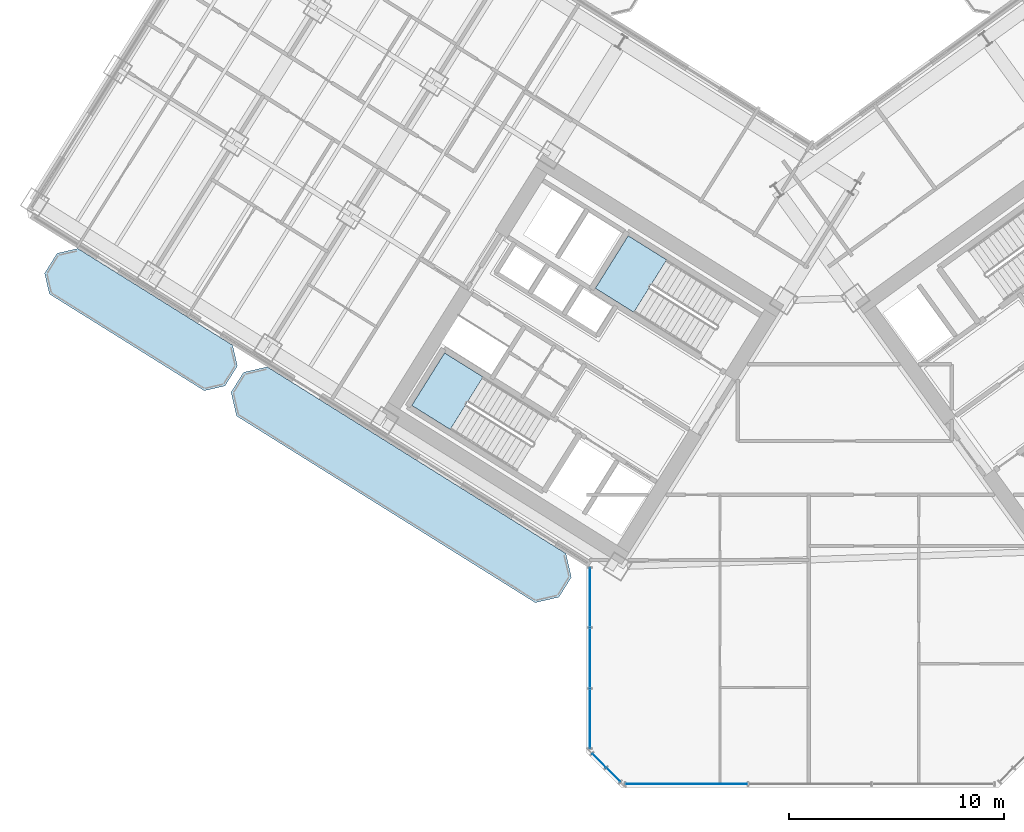
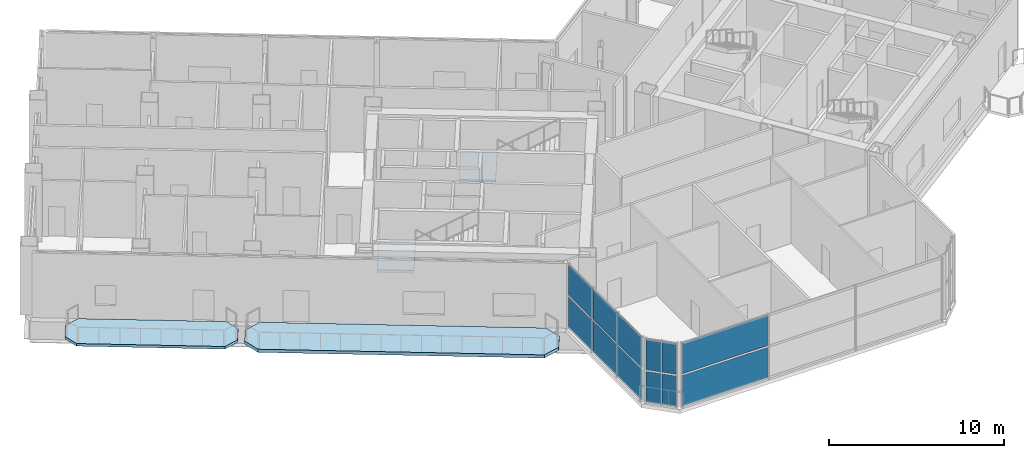
# One storey, part 9 of 22: 12 plates, 4 slabs, 5 elements without a shape of their own.
"""IFC4 building model written with IfcOpenShell, lengths in metres."""

from ifc_helpers import new_model, si_unit, direction, frame, origin, origin_2d, place, context, subcontext, project, spatial, polyline, rectangle, outline, extrude, source, transform, mapped, material, layer, layer_set, type_object, element, aggregate, save


model = new_model("IFC4")

# Units and contexts
model_context = context("Model", 3, precision=1e-05, world=origin(), true_north=direction((0.0, 1.0)))
body_context = subcontext(model_context, "Body", "Model", "MODEL_VIEW")
ifc_project = project(units=[si_unit("LENGTHUNIT", "METRE"), si_unit("AREAUNIT", "SQUARE_METRE"), si_unit("VOLUMEUNIT", "CUBIC_METRE"), si_unit("PLANEANGLEUNIT", "RADIAN"), si_unit("MASSUNIT", "GRAM", prefix="KILO")], contexts=[model_context])

# Site, building, storey
site_placement = place(None, origin())
site = spatial("IfcSite", under=ifc_project, at=site_placement, CompositionType="ELEMENT")
building_placement = place(site_placement, origin())
building = spatial("IfcBuilding", under=site, at=building_placement, Name="Tlacorven Tower", CompositionType="ELEMENT")
storey_placement = place(building_placement, frame((0.0, 0.0, 71.699951171875)))
storey = spatial("IfcBuildingStorey", under=building, at=storey_placement, Name="L18", CompositionType="ELEMENT", Elevation=71.699951171875)

# Slab
ifc_material_1 = material(Name="Precast concrete C45/55", Category="concrete")
ifc_layer_1 = layer(ifc_material_1, 0.179931640625)
ifc_layer_set_1 = layer_set([ifc_layer_1], Name="Precast concrete C45/55")
slab_type_1 = type_object("IfcSlabType", Name="SL-BAL-180", PredefinedType="USERDEFINED", material=ifc_layer_set_1)
slab_1_placement = place(storey_placement, frame((0.0, 0.0, -0.179931640625)))
element("IfcSlab", 1, at=slab_1_placement, inside=storey, type_object=slab_type_1, Name="L18 West Wing Balcony Ribbon OUT", ObjectType="BALCONY SLAB", PredefinedType="USERDEFINED", context=body_context, shape_type="SweptSolid", body=[
    extrude(outline(polyline([(15.1201171875, 22.38623046875), (7.91162109375, 26.890625), (6.947021484375, 26.66796875), (6.366943359375, 25.7392578125), (6.589599609375, 24.774658203125), (13.7978515625, 20.270263671875), (14.762451171875, 20.4931640625), (15.3427734375, 21.421630859375), (15.1201171875, 22.38623046875)])), origin(), (0.0, 0.0, 1.0), 0.179931640625),
])

# Stair, slab
ifc_material_2 = material(Name="Concrete C40/50", Category="concrete")
stair_type = type_object("IfcStairType", Name="ST-CORE-DLG", PredefinedType="HALF_TURN_STAIR", material=ifc_material_2)
stair_1_placement = place(storey_placement, origin())
stair_1 = element("IfcStair", 2, at=stair_1_placement, inside=storey, type_object=stair_type, Name="L18 Protected Exit Stair West 1", PredefinedType="HALF_TURN_STAIR")
ifc_layer_2 = layer(ifc_material_2, 0.199951171875)
ifc_layer_set_2 = layer_set([ifc_layer_2], Name="Concrete C40/50")
slab_type_2 = type_object("IfcSlabType", Name="SL-LND-200", PredefinedType="LANDING", material=ifc_layer_set_2)
slab_2_placement = place(storey_placement, frame((0.0, 0.0, 2.199951171875)))
slab_2 = element("IfcSlab", 3, at=slab_2_placement, type_object=slab_type_2, Name="ST-W1 landing 1", PredefinedType="LANDING", context=body_context, shape_type="SweptSolid", body=[
    extrude(outline(polyline([(26.778564453125, 20.90869140625), (24.9892578125, 22.02685546875), (23.463134765625, 19.58447265625), (25.25244140625, 18.46630859375), (26.778564453125, 20.90869140625)])), origin(), (0.0, 0.0, 1.0), 0.2001953125),
])
aggregate(stair_1, [slab_2])

stair_2_placement = place(storey_placement, origin())
stair_2 = element("IfcStair", 4, at=stair_2_placement, inside=storey, type_object=stair_type, Name="L18 Protected Exit Stair West 2", PredefinedType="HALF_TURN_STAIR")
slab_3_placement = place(storey_placement, frame((0.0, 0.0, 2.199951171875)))
slab_3 = element("IfcSlab", 5, at=slab_3_placement, type_object=slab_type_2, Name="ST-W2 landing 1", PredefinedType="LANDING", context=body_context, shape_type="SweptSolid", body=[
    extrude(outline(polyline([(35.330078125, 26.366455078125), (33.540771484375, 27.484375), (32.0146484375, 25.0419921875), (33.803955078125, 23.924072265625), (35.330078125, 26.366455078125)])), origin(), (0.0, 0.0, 1.0), 0.2001953125),
])
aggregate(stair_2, [slab_3])

# Slab
ifc_layer_3 = layer(ifc_material_2, 0.219970703125)
ifc_layer_set_3 = layer_set([ifc_layer_3], Name="Concrete C40/50")
slab_type_3 = type_object("IfcSlabType", Name="SL-TER-220", PredefinedType="FLOOR", material=ifc_layer_set_3)
slab_4_placement = place(storey_placement, frame((0.0, 0.0, -0.219970703125)))
element("IfcSlab", 6, at=slab_4_placement, inside=storey, type_object=slab_type_3, Name="L18 West Wing Planted Sky-Garden Terrace Slab", PredefinedType="FLOOR", context=body_context, shape_type="SweptSolid", body=[
    extrude(outline(polyline([(30.639404296875, 12.688720703125), (16.7314453125, 21.37939453125), (15.62890625, 21.125), (15.048828125, 20.1962890625), (15.30322265625, 19.093994140625), (29.211181640625, 10.4033203125), (30.3134765625, 10.65771484375), (30.893798828125, 11.58642578125), (30.639404296875, 12.688720703125)])), origin(), (0.0, 0.0, 1.0), 0.219970703125),
])

# Curtain wall, plates
ifc_material_3 = material(Name="Dark solar low-E double glazing in aluminium frame", Category="aluminium")
curtain_wall_type = type_object("IfcCurtainWallType", Name="CW-TWR-LOW", PredefinedType="USERDEFINED", material=ifc_material_3)
curtain_wall_1_placement = place(storey_placement, origin())
curtain_wall_1 = element("IfcCurtainWall", 7, at=curtain_wall_1_placement, inside=storey, type_object=curtain_wall_type, Name="L18 CW-TWR-LOW Curtain Wall 101", ObjectType="UNITISED CURTAIN WALL", PredefinedType="USERDEFINED")
ifc_material_4 = material(Name="Dark solar double low-E glazing", Category="glass")
ifc_layer_4 = layer(ifc_material_4, 0.031982421875)
ifc_layer_set_4 = layer_set([ifc_layer_4], Name="Dark solar double low-E glazing")
plate_type = type_object("IfcPlateType", Name="CWP-02", PredefinedType="CURTAIN_PANEL", material=ifc_layer_set_4)
shared_shape_1 = source(origin(), body_context, "Body", "SweptSolid", [
    extrude(rectangle(XDim=0.878173828125, YDim=0.031982421875, at=origin_2d()), origin(), (0.0, 0.0, 1.0), 2.137939453125),
])
plate_1_placement = place(storey_placement, frame((32.842041015625, 2.38427734375, 0.06103515625), z_axis=(0.0, 0.0, 1.0), x_axis=(-0.707106781187, 0.707106781187, 0.0)))
plate_1 = element("IfcPlate", 8, at=plate_1_placement, type_object=plate_type, Name="CW-L18-101 Glazing Panel 1", PredefinedType="CURTAIN_PANEL", context=body_context, shape_type="MappedRepresentation", body=[
    mapped(shared_shape_1, transform((0.0, 0.0, 0.0), scale=1.0)),
])
plate_2_placement = place(storey_placement, frame((32.842041015625, 2.38427734375, 2.3212890625), z_axis=(0.0, 0.0, 1.0), x_axis=(-0.707106781187, 0.707106781187, 0.0)))
plate_2 = element("IfcPlate", 9, at=plate_2_placement, type_object=plate_type, Name="CW-L18-101 Glazing Panel 2", PredefinedType="CURTAIN_PANEL", context=body_context, shape_type="MappedRepresentation", body=[
    mapped(shared_shape_1, transform((0.0, 0.0, 0.0), scale=1.0)),
])
plate_3_placement = place(storey_placement, frame((32.184326171875, 3.0419921875, 0.06103515625), z_axis=(0.0, 0.0, 1.0), x_axis=(-0.707106781187, 0.707106781187, 0.0)))
plate_3 = element("IfcPlate", 10, at=plate_3_placement, type_object=plate_type, Name="CW-L18-101 Glazing Panel 3", PredefinedType="CURTAIN_PANEL", context=body_context, shape_type="MappedRepresentation", body=[
    mapped(shared_shape_1, transform((0.0, 0.0, 0.0), scale=1.0)),
])
plate_4_placement = place(storey_placement, frame((32.184326171875, 3.0419921875, 2.3212890625), z_axis=(0.0, 0.0, 1.0), x_axis=(-0.707106781187, 0.707106781187, 0.0)))
plate_4 = element("IfcPlate", 11, at=plate_4_placement, type_object=plate_type, Name="CW-L18-101 Glazing Panel 4", PredefinedType="CURTAIN_PANEL", context=body_context, shape_type="MappedRepresentation", body=[
    mapped(shared_shape_1, transform((0.0, 0.0, 0.0), scale=1.0)),
])
aggregate(curtain_wall_1, [plate_1, plate_2, plate_3, plate_4])

curtain_wall_2_placement = place(storey_placement, origin())
curtain_wall_2 = element("IfcCurtainWall", 12, at=curtain_wall_2_placement, inside=storey, type_object=curtain_wall_type, Name="L18 CW-TWR-LOW Curtain Wall 100", ObjectType="UNITISED CURTAIN WALL", PredefinedType="USERDEFINED")
shared_shape_2 = source(origin(), body_context, "Body", "SweptSolid", [
    extrude(rectangle(XDim=5.668701171875, YDim=0.031982421875, at=origin_2d()), origin(), (0.0, 0.0, 1.0), 2.137939453125),
])
plate_5_placement = place(storey_placement, frame((36.26171875, 1.9599609375, 0.06103515625), z_axis=(0.0, 0.0, 1.0), x_axis=(-1.0, 0.0, 0.0)))
plate_5 = element("IfcPlate", 13, at=plate_5_placement, type_object=plate_type, Name="CW-L18-100 Glazing Panel 5", PredefinedType="CURTAIN_PANEL", context=body_context, shape_type="MappedRepresentation", body=[
    mapped(shared_shape_2, transform((0.0, 0.0, 0.0), scale=1.0)),
])
plate_6_placement = place(storey_placement, frame((36.26171875, 1.9599609375, 2.3212890625), z_axis=(0.0, 0.0, 1.0), x_axis=(-1.0, 0.0, 0.0)))
plate_6 = element("IfcPlate", 14, at=plate_6_placement, type_object=plate_type, Name="CW-L18-100 Glazing Panel 6", PredefinedType="CURTAIN_PANEL", context=body_context, shape_type="MappedRepresentation", body=[
    mapped(shared_shape_2, transform((0.0, 0.0, 0.0), scale=1.0)),
])
aggregate(curtain_wall_2, [plate_5, plate_6])

curtain_wall_3_placement = place(storey_placement, origin())
curtain_wall_3 = element("IfcCurtainWall", 15, at=curtain_wall_3_placement, inside=storey, type_object=curtain_wall_type, Name="L18 CW-TWR-LOW Curtain Wall 102", ObjectType="UNITISED CURTAIN WALL", PredefinedType="USERDEFINED")
shared_shape_3 = source(origin(), body_context, "Body", "SweptSolid", [
    extrude(rectangle(XDim=2.751953125, YDim=0.031982421875, at=origin_2d()), origin(), (0.0, 0.0, 1.0), 2.137939453125),
])
plate_7_placement = place(storey_placement, frame((31.760009765625, 5.003173828125, 0.06103515625), z_axis=(0.0, 0.0, 1.0), x_axis=(0.0, 1.0, 0.0)))
plate_7 = element("IfcPlate", 16, at=plate_7_placement, type_object=plate_type, Name="CW-L18-102 Glazing Panel 1", PredefinedType="CURTAIN_PANEL", context=body_context, shape_type="MappedRepresentation", body=[
    mapped(shared_shape_3, transform((0.0, 0.0, 0.0), scale=1.0)),
])
plate_8_placement = place(storey_placement, frame((31.760009765625, 5.003173828125, 2.3212890625), z_axis=(0.0, 0.0, 1.0), x_axis=(0.0, 1.0, 0.0)))
plate_8 = element("IfcPlate", 17, at=plate_8_placement, type_object=plate_type, Name="CW-L18-102 Glazing Panel 2", PredefinedType="CURTAIN_PANEL", context=body_context, shape_type="MappedRepresentation", body=[
    mapped(shared_shape_3, transform((0.0, 0.0, 0.0), scale=1.0)),
])
plate_9_placement = place(storey_placement, frame((31.760009765625, 10.64599609375, 0.06103515625), z_axis=(0.0, 0.0, 1.0), x_axis=(0.0, 1.0, 0.0)))
plate_9 = element("IfcPlate", 18, at=plate_9_placement, type_object=plate_type, Name="CW-L18-102 Glazing Panel 5", PredefinedType="CURTAIN_PANEL", context=body_context, shape_type="MappedRepresentation", body=[
    mapped(shared_shape_3, transform((0.0, 0.0, 0.0), scale=1.0)),
])
plate_10_placement = place(storey_placement, frame((31.760009765625, 10.64599609375, 2.3212890625), z_axis=(0.0, 0.0, 1.0), x_axis=(0.0, 1.0, 0.0)))
plate_10 = element("IfcPlate", 19, at=plate_10_placement, type_object=plate_type, Name="CW-L18-102 Glazing Panel 6", PredefinedType="CURTAIN_PANEL", context=body_context, shape_type="MappedRepresentation", body=[
    mapped(shared_shape_3, transform((0.0, 0.0, 0.0), scale=1.0)),
])
shared_shape_4 = source(origin(), body_context, "Body", "SweptSolid", [
    extrude(rectangle(XDim=2.786865234375, YDim=0.031982421875, at=origin_2d()), origin(), (0.0, 0.0, 1.0), 2.137939453125),
])
plate_11_placement = place(storey_placement, frame((31.760009765625, 7.82470703125, 0.06103515625), z_axis=(0.0, 0.0, 1.0), x_axis=(0.0, 1.0, 0.0)))
plate_11 = element("IfcPlate", 20, at=plate_11_placement, type_object=plate_type, Name="CW-L18-102 Glazing Panel 3", PredefinedType="CURTAIN_PANEL", context=body_context, shape_type="MappedRepresentation", body=[
    mapped(shared_shape_4, transform((0.0, 0.0, 0.0), scale=1.0)),
])
plate_12_placement = place(storey_placement, frame((31.760009765625, 7.82470703125, 2.3212890625), z_axis=(0.0, 0.0, 1.0), x_axis=(0.0, 1.0, 0.0)))
plate_12 = element("IfcPlate", 21, at=plate_12_placement, type_object=plate_type, Name="CW-L18-102 Glazing Panel 4", PredefinedType="CURTAIN_PANEL", context=body_context, shape_type="MappedRepresentation", body=[
    mapped(shared_shape_4, transform((0.0, 0.0, 0.0), scale=1.0)),
])
aggregate(curtain_wall_3, [plate_7, plate_8, plate_11, plate_12, plate_9, plate_10])

save(model, "model.ifc")
